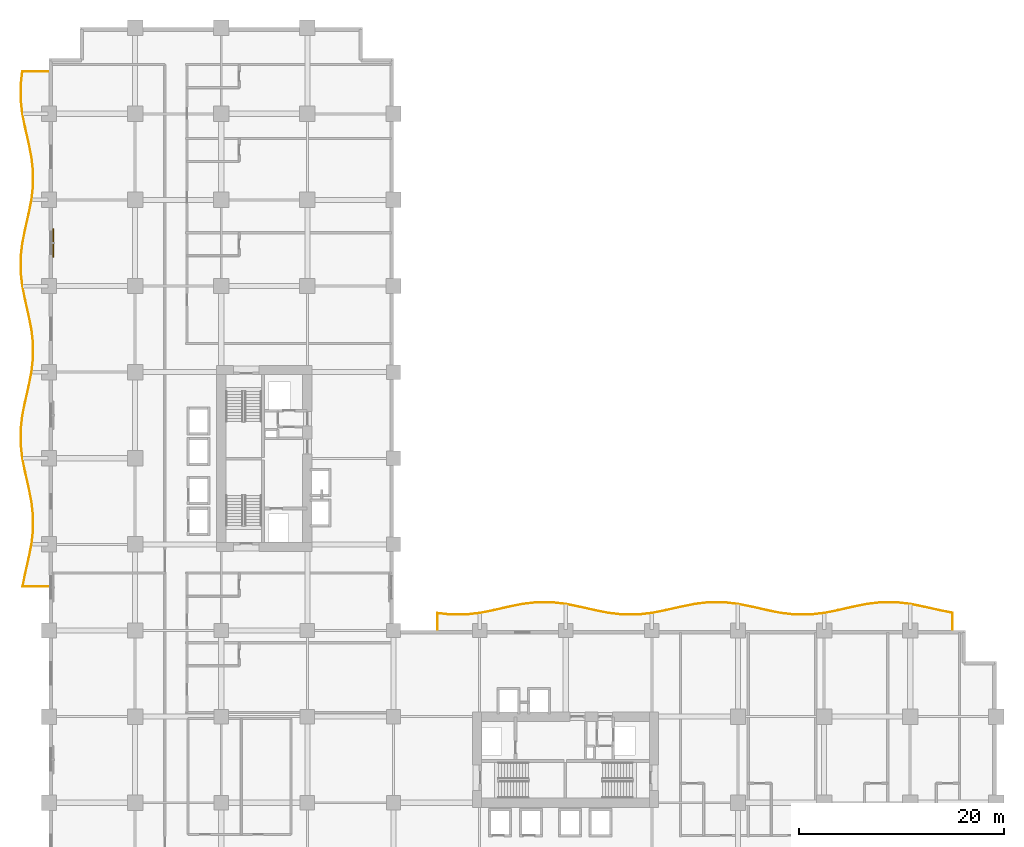
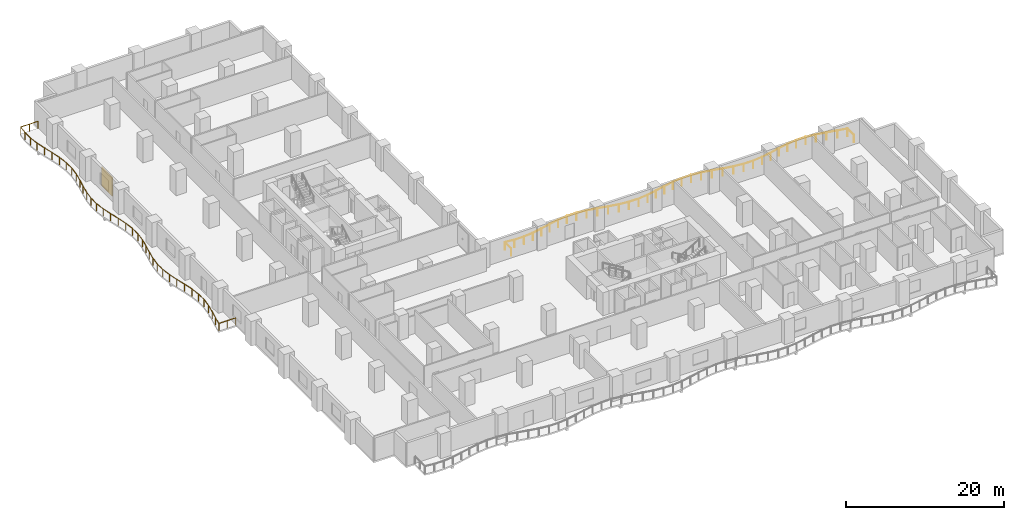
# One storey, part 18 of 18: 2 railings, 1 shading device.
"""IFC4 building model written with IfcOpenShell, lengths in metres."""

from ifc_helpers import new_model, si_unit, direction, frame, origin, origin_2d, place, context, subcontext, project, spatial, rectangle, circle, extrude, material, layer, layer_set, type_object, element, save


model = new_model("IFC4")

# Units and contexts
model_context = context("Model", 3, precision=1e-05, world=origin(), true_north=direction((0.0, 1.0)))
body_context = subcontext(model_context, "Body", "Model", "MODEL_VIEW")
ifc_project = project(units=[si_unit("LENGTHUNIT", "METRE"), si_unit("AREAUNIT", "SQUARE_METRE"), si_unit("VOLUMEUNIT", "CUBIC_METRE"), si_unit("PLANEANGLEUNIT", "RADIAN"), si_unit("MASSUNIT", "GRAM", prefix="KILO")], contexts=[model_context])

# Site, building, storey
site_placement = place(None, origin())
site = spatial("IfcSite", under=ifc_project, at=site_placement, CompositionType="ELEMENT")
building_placement = place(site_placement, origin())
building = spatial("IfcBuilding", under=site, at=building_placement, Name="Koriwani Terraces Tower", CompositionType="ELEMENT")
storey_placement = place(building_placement, frame((0.0, 0.0, 81.39990234375)))
storey = spatial("IfcBuildingStorey", under=building, at=storey_placement, Name="L19", CompositionType="ELEMENT", Elevation=81.39990234375)

# Railings
ifc_material_1 = material(Name="Steel ASTM A572 Grade 50", Category="steel")
railing_type = type_object("IfcRailingType", Name="GUARD_BALUSTRADE_1150", PredefinedType="BALUSTRADE", material=ifc_material_1)
railing_1_placement = place(storey_placement, frame((-0.080078125, 37.8798828125, 0.0)))
element("IfcRailing", 1, at=railing_1_placement, inside=storey, type_object=railing_type, Name="L19 Balcony Perimeter Safety Balustrade (W)", PredefinedType="BALUSTRADE", context=body_context, shape_type="SweptSolid", body=[
    extrude(circle(Radius=0.02392578125, at=origin_2d()), frame((0.0, 0.0, 1.1259765625), z_axis=(-1.0, 0.0, 0.0), x_axis=(0.0, -1.0, 0.0)), (0.0, 0.0, 1.0), 2.4892578125),
    extrude(circle(Radius=0.02392578125, at=origin_2d()), frame((-2.4892578125, 0.0, 1.1259765625), z_axis=(0.196186786742, 0.980566542723, 0.0), x_axis=(-0.980566542723, 0.196186786742, 0.0)), (0.0, 0.0, 1.0), 1.3291015625),
    extrude(circle(Radius=0.02392578125, at=origin_2d()), frame((-2.228515625, 1.30322265625, 1.1259765625), z_axis=(0.225144925641, 0.974325285753, 0.0), x_axis=(-0.974325285753, 0.225144925641, 0.0)), (0.0, 0.0, 1.0), 1.436767578125),
    extrude(circle(Radius=0.02392578125, at=origin_2d()), frame((-1.905029296875, 2.703125, 1.1259765625), z_axis=(0.196181690301, 0.980567562379, 0.0), x_axis=(-0.980567562379, 0.196181690301, 0.0)), (0.0, 0.0, 1.0), 1.432373046875),
    extrude(circle(Radius=0.02392578125, at=origin_2d()), frame((-1.6240234375, 4.107666015625, 1.1259765625), z_axis=(0.114722179915, 0.993397614974, 0.0), x_axis=(-0.993397614974, 0.114722179915, 0.0)), (0.0, 0.0, 1.0), 1.417236328125),
    extrude(circle(Radius=0.02392578125, at=origin_2d()), frame((-1.46142578125, 5.515625, 1.1259765625), z_axis=(0.0, 1.0, 0.0), x_axis=(-1.0, 0.0, 0.0)), (0.0, 0.0, 1.0), 1.4091796875),
    extrude(circle(Radius=0.02392578125, at=origin_2d()), frame((-1.46142578125, 6.9248046875, 1.1259765625), z_axis=(-0.114741814309, 0.993395347306, 0.0), x_axis=(-0.993395347306, -0.114741814309, 0.0)), (0.0, 0.0, 1.0), 1.4169921875),
    extrude(circle(Radius=0.02392578125, at=origin_2d()), frame((-1.6240234375, 8.33251953125, 1.1259765625), z_axis=(-0.196181690301, 0.980567562379, 0.0), x_axis=(-0.980567562379, -0.196181690301, 0.0)), (0.0, 0.0, 1.0), 1.432373046875),
    extrude(circle(Radius=0.02392578125, at=origin_2d()), frame((-1.905029296875, 9.737060546875, 1.1259765625), z_axis=(-0.225144925641, 0.974325285753, 0.0), x_axis=(-0.974325285753, -0.225144925641, 0.0)), (0.0, 0.0, 1.0), 1.436767578125),
    extrude(circle(Radius=0.02392578125, at=origin_2d()), frame((-2.228515625, 11.136962890625, 1.1259765625), z_axis=(-0.196215086073, 0.980560880312, 0.0), x_axis=(-0.980560880312, -0.196215086073, 0.0)), (0.0, 0.0, 1.0), 1.42333984375),
    extrude(circle(Radius=0.02392578125, at=origin_2d()), frame((-2.5078125, 12.53271484375, 1.1259765625), z_axis=(-0.114809259658, 0.993387554732, 0.0), x_axis=(-0.993387554732, -0.114809259658, 0.0)), (0.0, 0.0, 1.0), 1.4013671875),
    extrude(circle(Radius=0.02392578125, at=origin_2d()), frame((-2.668701171875, 13.9248046875, 1.1259765625), z_axis=(0.0, 1.0, 0.0), x_axis=(-1.0, 0.0, 0.0)), (0.0, 0.0, 1.0), 1.390625),
    extrude(circle(Radius=0.02392578125, at=origin_2d()), frame((-2.668701171875, 15.3154296875, 1.1259765625), z_axis=(0.114809259658, 0.993387554732, 0.0), x_axis=(-0.993387554732, 0.114809259658, 0.0)), (0.0, 0.0, 1.0), 1.4013671875),
    extrude(circle(Radius=0.02392578125, at=origin_2d()), frame((-2.5078125, 16.70751953125, 1.1259765625), z_axis=(0.196215086073, 0.980560880312, 0.0), x_axis=(-0.980560880312, 0.196215086073, 0.0)), (0.0, 0.0, 1.0), 1.42333984375),
    extrude(circle(Radius=0.02392578125, at=origin_2d()), frame((-2.228515625, 18.103271484375, 1.1259765625), z_axis=(0.225144925641, 0.974325285753, 0.0), x_axis=(-0.974325285753, 0.225144925641, 0.0)), (0.0, 0.0, 1.0), 1.436767578125),
    extrude(circle(Radius=0.02392578125, at=origin_2d()), frame((-1.905029296875, 19.503173828125, 1.1259765625), z_axis=(0.196181690301, 0.980567562379, 0.0), x_axis=(-0.980567562379, 0.196181690301, 0.0)), (0.0, 0.0, 1.0), 1.432373046875),
    extrude(circle(Radius=0.02392578125, at=origin_2d()), frame((-1.6240234375, 20.90771484375, 1.1259765625), z_axis=(0.114741814309, 0.993395347306, 0.0), x_axis=(-0.993395347306, 0.114741814309, 0.0)), (0.0, 0.0, 1.0), 1.4169921875),
    extrude(circle(Radius=0.02392578125, at=origin_2d()), frame((-1.46142578125, 22.3154296875, 1.1259765625), z_axis=(0.0, 1.0, 0.0), x_axis=(-1.0, 0.0, 0.0)), (0.0, 0.0, 1.0), 1.4091796875),
    extrude(circle(Radius=0.02392578125, at=origin_2d()), frame((-1.46142578125, 23.724609375, 1.1259765625), z_axis=(-0.114722179915, 0.993397614974, 0.0), x_axis=(-0.993397614974, -0.114722179915, 0.0)), (0.0, 0.0, 1.0), 1.417236328125),
    extrude(circle(Radius=0.02392578125, at=origin_2d()), frame((-1.6240234375, 25.132568359375, 1.1259765625), z_axis=(-0.196181690301, 0.980567562379, 0.0), x_axis=(-0.980567562379, -0.196181690301, 0.0)), (0.0, 0.0, 1.0), 1.432373046875),
    extrude(circle(Radius=0.02392578125, at=origin_2d()), frame((-1.905029296875, 26.537109375, 1.1259765625), z_axis=(-0.225144925641, 0.974325285753, 0.0), x_axis=(-0.974325285753, -0.225144925641, 0.0)), (0.0, 0.0, 1.0), 1.436767578125),
    extrude(circle(Radius=0.02392578125, at=origin_2d()), frame((-2.228515625, 27.93701171875, 1.1259765625), z_axis=(-0.196248091466, 0.980554275191, 0.0), x_axis=(-0.980554275191, -0.196248091466, 0.0)), (0.0, 0.0, 1.0), 1.423095703125),
    extrude(circle(Radius=0.02392578125, at=origin_2d()), frame((-2.5078125, 29.33251953125, 1.1259765625), z_axis=(-0.114809259658, 0.993387554732, 0.0), x_axis=(-0.993387554732, -0.114809259658, 0.0)), (0.0, 0.0, 1.0), 1.4013671875),
    extrude(circle(Radius=0.02392578125, at=origin_2d()), frame((-2.668701171875, 30.724609375, 1.1259765625), z_axis=(0.0, 1.0, 0.0), x_axis=(-1.0, 0.0, 0.0)), (0.0, 0.0, 1.0), 1.390869140625),
    extrude(circle(Radius=0.02392578125, at=origin_2d()), frame((-2.668701171875, 32.115478515625, 1.1259765625), z_axis=(0.114809259658, 0.993387554732, 0.0), x_axis=(-0.993387554732, 0.114809259658, 0.0)), (0.0, 0.0, 1.0), 1.4013671875),
    extrude(circle(Radius=0.02392578125, at=origin_2d()), frame((-2.5078125, 33.507568359375, 1.1259765625), z_axis=(0.196215086073, 0.980560880312, 0.0), x_axis=(-0.980560880312, 0.196215086073, 0.0)), (0.0, 0.0, 1.0), 1.42333984375),
    extrude(circle(Radius=0.02392578125, at=origin_2d()), frame((-2.228515625, 34.9033203125, 1.1259765625), z_axis=(0.225144925641, 0.974325285753, 0.0), x_axis=(-0.974325285753, 0.225144925641, 0.0)), (0.0, 0.0, 1.0), 1.436767578125),
    extrude(circle(Radius=0.02392578125, at=origin_2d()), frame((-1.905029296875, 36.30322265625, 1.1259765625), z_axis=(0.196181690301, 0.980567562379, 0.0), x_axis=(-0.980567562379, 0.196181690301, 0.0)), (0.0, 0.0, 1.0), 1.432373046875),
    extrude(circle(Radius=0.02392578125, at=origin_2d()), frame((-1.6240234375, 37.707763671875, 1.1259765625), z_axis=(0.114741814309, 0.993395347306, 0.0), x_axis=(-0.993395347306, 0.114741814309, 0.0)), (0.0, 0.0, 1.0), 1.4169921875),
    extrude(circle(Radius=0.02392578125, at=origin_2d()), frame((-1.46142578125, 39.115478515625, 1.1259765625), z_axis=(0.0, 1.0, 0.0), x_axis=(-1.0, 0.0, 0.0)), (0.0, 0.0, 1.0), 1.4091796875),
    extrude(circle(Radius=0.02392578125, at=origin_2d()), frame((-1.46142578125, 40.524658203125, 1.1259765625), z_axis=(-0.114722179915, 0.993397614974, 0.0), x_axis=(-0.993397614974, -0.114722179915, 0.0)), (0.0, 0.0, 1.0), 1.417236328125),
    extrude(circle(Radius=0.02392578125, at=origin_2d()), frame((-1.6240234375, 41.9326171875, 1.1259765625), z_axis=(-0.19621448399, 0.980561000791, 0.0), x_axis=(-0.980561000791, -0.19621448399, 0.0)), (0.0, 0.0, 1.0), 1.43212890625),
    extrude(circle(Radius=0.02392578125, at=origin_2d()), frame((-1.905029296875, 43.3369140625, 1.1259765625), z_axis=(-0.225107657095, 0.974333896935, 0.0), x_axis=(-0.974333896935, -0.225107657095, 0.0)), (0.0, 0.0, 1.0), 1.43701171875),
    extrude(circle(Radius=0.02392578125, at=origin_2d()), frame((-2.228515625, 44.737060546875, 1.1259765625), z_axis=(-0.196248091466, 0.980554275191, 0.0), x_axis=(-0.980554275191, -0.196248091466, 0.0)), (0.0, 0.0, 1.0), 1.423095703125),
    extrude(circle(Radius=0.02392578125, at=origin_2d()), frame((-2.5078125, 46.132568359375, 1.1259765625), z_axis=(-0.114809259658, 0.993387554732, 0.0), x_axis=(-0.993387554732, -0.114809259658, 0.0)), (0.0, 0.0, 1.0), 1.4013671875),
    extrude(circle(Radius=0.02392578125, at=origin_2d()), frame((-2.668701171875, 47.524658203125, 1.1259765625), z_axis=(0.0, 1.0, 0.0), x_axis=(-1.0, 0.0, 0.0)), (0.0, 0.0, 1.0), 1.390869140625),
    extrude(circle(Radius=0.02392578125, at=origin_2d()), frame((-2.668701171875, 48.91552734375, 1.1259765625), z_axis=(0.114790882492, 0.993389678473, 0.0), x_axis=(-0.993389678473, 0.114790882492, 0.0)), (0.0, 0.0, 1.0), 1.33349609375),
    extrude(circle(Radius=0.02392578125, at=origin_2d()), frame((-2.515625, 50.240234375, 1.1259765625), z_axis=(1.0, 0.0, 0.0), x_axis=(0.0, 1.0, 0.0)), (0.0, 0.0, 1.0), 2.515625),
    extrude(circle(Radius=0.02099609375, at=origin_2d()), origin(), (0.0, 0.0, 1.0), 1.101806640625),
    extrude(circle(Radius=0.02099609375, at=origin_2d()), frame((-1.24462890625, 0.0, 0.0)), (0.0, 0.0, 1.0), 1.101806640625),
    extrude(circle(Radius=0.02099609375, at=origin_2d()), frame((-2.4892578125, 0.0, 0.0)), (0.0, 0.0, 1.0), 1.101806640625),
    extrude(circle(Radius=0.02099609375, at=origin_2d()), frame((-2.228515625, 1.30322265625, 0.0)), (0.0, 0.0, 1.0), 1.101806640625),
    extrude(circle(Radius=0.02099609375, at=origin_2d()), frame((-1.905029296875, 2.703125, 0.0)), (0.0, 0.0, 1.0), 1.101806640625),
    extrude(circle(Radius=0.02099609375, at=origin_2d()), frame((-1.6240234375, 4.107666015625, 0.0)), (0.0, 0.0, 1.0), 1.101806640625),
    extrude(circle(Radius=0.02099609375, at=origin_2d()), frame((-1.46142578125, 5.515625, 0.0)), (0.0, 0.0, 1.0), 1.101806640625),
    extrude(circle(Radius=0.02099609375, at=origin_2d()), frame((-1.46142578125, 6.9248046875, 0.0)), (0.0, 0.0, 1.0), 1.101806640625),
    extrude(circle(Radius=0.02099609375, at=origin_2d()), frame((-1.6240234375, 8.33251953125, 0.0)), (0.0, 0.0, 1.0), 1.101806640625),
    extrude(circle(Radius=0.02099609375, at=origin_2d()), frame((-1.905029296875, 9.737060546875, 0.0)), (0.0, 0.0, 1.0), 1.101806640625),
    extrude(circle(Radius=0.02099609375, at=origin_2d()), frame((-2.228515625, 11.136962890625, 0.0)), (0.0, 0.0, 1.0), 1.101806640625),
    extrude(circle(Radius=0.02099609375, at=origin_2d()), frame((-2.5078125, 12.53271484375, 0.0)), (0.0, 0.0, 1.0), 1.101806640625),
    extrude(circle(Radius=0.02099609375, at=origin_2d()), frame((-2.668701171875, 13.9248046875, 0.0)), (0.0, 0.0, 1.0), 1.101806640625),
    extrude(circle(Radius=0.02099609375, at=origin_2d()), frame((-2.668701171875, 15.3154296875, 0.0)), (0.0, 0.0, 1.0), 1.101806640625),
    extrude(circle(Radius=0.02099609375, at=origin_2d()), frame((-2.5078125, 16.70751953125, 0.0)), (0.0, 0.0, 1.0), 1.101806640625),
    extrude(circle(Radius=0.02099609375, at=origin_2d()), frame((-2.228515625, 18.103271484375, 0.0)), (0.0, 0.0, 1.0), 1.101806640625),
    extrude(circle(Radius=0.02099609375, at=origin_2d()), frame((-1.905029296875, 19.503173828125, 0.0)), (0.0, 0.0, 1.0), 1.101806640625),
    extrude(circle(Radius=0.02099609375, at=origin_2d()), frame((-1.6240234375, 20.90771484375, 0.0)), (0.0, 0.0, 1.0), 1.101806640625),
    extrude(circle(Radius=0.02099609375, at=origin_2d()), frame((-1.46142578125, 22.3154296875, 0.0)), (0.0, 0.0, 1.0), 1.101806640625),
    extrude(circle(Radius=0.02099609375, at=origin_2d()), frame((-1.46142578125, 23.724609375, 0.0)), (0.0, 0.0, 1.0), 1.101806640625),
    extrude(circle(Radius=0.02099609375, at=origin_2d()), frame((-1.6240234375, 25.132568359375, 0.0)), (0.0, 0.0, 1.0), 1.101806640625),
    extrude(circle(Radius=0.02099609375, at=origin_2d()), frame((-1.905029296875, 26.537109375, 0.0)), (0.0, 0.0, 1.0), 1.101806640625),
    extrude(circle(Radius=0.02099609375, at=origin_2d()), frame((-2.228515625, 27.93701171875, 0.0)), (0.0, 0.0, 1.0), 1.101806640625),
    extrude(circle(Radius=0.02099609375, at=origin_2d()), frame((-2.5078125, 29.33251953125, 0.0)), (0.0, 0.0, 1.0), 1.101806640625),
    extrude(circle(Radius=0.02099609375, at=origin_2d()), frame((-2.668701171875, 30.724609375, 0.0)), (0.0, 0.0, 1.0), 1.101806640625),
    extrude(circle(Radius=0.02099609375, at=origin_2d()), frame((-2.668701171875, 32.115478515625, 0.0)), (0.0, 0.0, 1.0), 1.101806640625),
    extrude(circle(Radius=0.02099609375, at=origin_2d()), frame((-2.5078125, 33.507568359375, 0.0)), (0.0, 0.0, 1.0), 1.101806640625),
    extrude(circle(Radius=0.02099609375, at=origin_2d()), frame((-2.228515625, 34.9033203125, 0.0)), (0.0, 0.0, 1.0), 1.101806640625),
    extrude(circle(Radius=0.02099609375, at=origin_2d()), frame((-1.905029296875, 36.30322265625, 0.0)), (0.0, 0.0, 1.0), 1.101806640625),
    extrude(circle(Radius=0.02099609375, at=origin_2d()), frame((-1.6240234375, 37.707763671875, 0.0)), (0.0, 0.0, 1.0), 1.101806640625),
    extrude(circle(Radius=0.02099609375, at=origin_2d()), frame((-1.46142578125, 39.115478515625, 0.0)), (0.0, 0.0, 1.0), 1.101806640625),
    extrude(circle(Radius=0.02099609375, at=origin_2d()), frame((-1.46142578125, 40.524658203125, 0.0)), (0.0, 0.0, 1.0), 1.101806640625),
    extrude(circle(Radius=0.02099609375, at=origin_2d()), frame((-1.6240234375, 41.9326171875, 0.0)), (0.0, 0.0, 1.0), 1.101806640625),
    extrude(circle(Radius=0.02099609375, at=origin_2d()), frame((-1.905029296875, 43.3369140625, 0.0)), (0.0, 0.0, 1.0), 1.101806640625),
    extrude(circle(Radius=0.02099609375, at=origin_2d()), frame((-2.228515625, 44.737060546875, 0.0)), (0.0, 0.0, 1.0), 1.101806640625),
    extrude(circle(Radius=0.02099609375, at=origin_2d()), frame((-2.5078125, 46.132568359375, 0.0)), (0.0, 0.0, 1.0), 1.101806640625),
    extrude(circle(Radius=0.02099609375, at=origin_2d()), frame((-2.668701171875, 47.524658203125, 0.0)), (0.0, 0.0, 1.0), 1.101806640625),
    extrude(circle(Radius=0.02099609375, at=origin_2d()), frame((-2.668701171875, 48.91552734375, 0.0)), (0.0, 0.0, 1.0), 1.101806640625),
    extrude(circle(Radius=0.02099609375, at=origin_2d()), frame((-2.515625, 50.240234375, 0.0)), (0.0, 0.0, 1.0), 1.101806640625),
    extrude(circle(Radius=0.02099609375, at=origin_2d()), frame((-1.2578125, 50.240234375, 0.0)), (0.0, 0.0, 1.0), 1.101806640625),
    extrude(circle(Radius=0.02099609375, at=origin_2d()), frame((0.0, 50.240234375, 0.0)), (0.0, 0.0, 1.0), 1.101806640625),
])
railing_2_placement = place(storey_placement, frame((88.1201171875, 33.679931640625, 0.0)))
element("IfcRailing", 2, at=railing_2_placement, inside=storey, type_object=railing_type, Name="L19 Balcony Perimeter Safety Balustrade (NE)", PredefinedType="BALUSTRADE", context=body_context, shape_type="SweptSolid", body=[
    extrude(circle(Radius=0.02392578125, at=origin_2d()), frame((0.0, 0.0, 1.1259765625), z_axis=(0.0, 1.0, 0.0), x_axis=(-1.0, 0.0, 0.0)), (0.0, 0.0, 1.0), 1.637451171875),
    extrude(circle(Radius=0.02392578125, at=origin_2d()), frame((0.0, 1.637451171875, 1.1259765625), z_axis=(-0.980553117747, 0.196253874553, 0.0), x_axis=(-0.196253874553, -0.980553117747, 0.0)), (0.0, 0.0, 1.0), 1.363525390625),
    extrude(circle(Radius=0.02392578125, at=origin_2d()), frame((-1.3369140625, 1.905029296875, 1.1259765625), z_axis=(-0.974296622472, 0.225268931368, 0.0), x_axis=(-0.225268931368, -0.974296622472, 0.0)), (0.0, 0.0, 1.0), 1.43701171875),
    extrude(circle(Radius=0.02392578125, at=origin_2d()), frame((-2.737060546875, 2.228759765625, 1.1259765625), z_axis=(-0.980587273263, 0.196083144391, 0.0), x_axis=(-0.196083144391, -0.980587273263, 0.0)), (0.0, 0.0, 1.0), 1.423095703125),
    extrude(circle(Radius=0.02392578125, at=origin_2d()), frame((-4.132568359375, 2.5078125, 1.1259765625), z_axis=(-0.993387554732, 0.114809259658, 0.0), x_axis=(-0.114809259658, -0.993387554732, 0.0)), (0.0, 0.0, 1.0), 1.4013671875),
    extrude(circle(Radius=0.02392578125, at=origin_2d()), frame((-5.524658203125, 2.668701171875, 1.1259765625), z_axis=(-1.0, 0.0, 0.0), x_axis=(0.0, -1.0, 0.0)), (0.0, 0.0, 1.0), 1.390869140625),
    extrude(circle(Radius=0.02392578125, at=origin_2d()), frame((-6.91552734375, 2.668701171875, 1.1259765625), z_axis=(-0.993387554732, -0.114809259658, 0.0), x_axis=(0.114809259658, -0.993387554732, 0.0)), (0.0, 0.0, 1.0), 1.4013671875),
    extrude(circle(Radius=0.02392578125, at=origin_2d()), frame((-8.3076171875, 2.5078125, 1.1259765625), z_axis=(-0.980587273263, -0.196083144391, 0.0), x_axis=(0.196083144391, -0.980587273263, 0.0)), (0.0, 0.0, 1.0), 1.423095703125),
    extrude(circle(Radius=0.02392578125, at=origin_2d()), frame((-9.703125, 2.228759765625, 1.1259765625), z_axis=(-0.974296622472, -0.225268931368, 0.0), x_axis=(0.225268931368, -0.974296622472, 0.0)), (0.0, 0.0, 1.0), 1.43701171875),
    extrude(circle(Radius=0.02392578125, at=origin_2d()), frame((-11.103271484375, 1.905029296875, 1.1259765625), z_axis=(-0.980600338098, -0.196017797464, 0.0), x_axis=(0.196017797464, -0.980600338098, 0.0)), (0.0, 0.0, 1.0), 1.432373046875),
    extrude(circle(Radius=0.02392578125, at=origin_2d()), frame((-12.5078125, 1.624267578125, 1.1259765625), z_axis=(-0.993395347306, -0.114741814309, 0.0), x_axis=(0.114741814309, -0.993395347306, 0.0)), (0.0, 0.0, 1.0), 1.4169921875),
    extrude(circle(Radius=0.02392578125, at=origin_2d()), frame((-13.91552734375, 1.461669921875, 1.1259765625), z_axis=(-1.0, 0.0, 0.0), x_axis=(0.0, -1.0, 0.0)), (0.0, 0.0, 1.0), 1.4091796875),
    extrude(circle(Radius=0.02392578125, at=origin_2d()), frame((-15.32470703125, 1.461669921875, 1.1259765625), z_axis=(-0.993395347306, 0.114741814309, 0.0), x_axis=(-0.114741814309, -0.993395347306, 0.0)), (0.0, 0.0, 1.0), 1.4169921875),
    extrude(circle(Radius=0.02392578125, at=origin_2d()), frame((-16.732421875, 1.624267578125, 1.1259765625), z_axis=(-0.980600338098, 0.196017797464, 0.0), x_axis=(-0.196017797464, -0.980600338098, 0.0)), (0.0, 0.0, 1.0), 1.432373046875),
    extrude(circle(Radius=0.02392578125, at=origin_2d()), frame((-18.136962890625, 1.905029296875, 1.1259765625), z_axis=(-0.974296622472, 0.225268931368, 0.0), x_axis=(-0.225268931368, -0.974296622472, 0.0)), (0.0, 0.0, 1.0), 1.43701171875),
    extrude(circle(Radius=0.02392578125, at=origin_2d()), frame((-19.537109375, 2.228759765625, 1.1259765625), z_axis=(-0.980587273263, 0.196083144391, 0.0), x_axis=(-0.196083144391, -0.980587273263, 0.0)), (0.0, 0.0, 1.0), 1.423095703125),
    extrude(circle(Radius=0.02392578125, at=origin_2d()), frame((-20.9326171875, 2.5078125, 1.1259765625), z_axis=(-0.993387554732, 0.114809259658, 0.0), x_axis=(-0.114809259658, -0.993387554732, 0.0)), (0.0, 0.0, 1.0), 1.4013671875),
    extrude(circle(Radius=0.02392578125, at=origin_2d()), frame((-22.32470703125, 2.668701171875, 1.1259765625), z_axis=(-1.0, 0.0, 0.0), x_axis=(0.0, -1.0, 0.0)), (0.0, 0.0, 1.0), 1.390869140625),
    extrude(circle(Radius=0.02392578125, at=origin_2d()), frame((-23.715576171875, 2.668701171875, 1.1259765625), z_axis=(-0.993387554732, -0.114809259658, 0.0), x_axis=(0.114809259658, -0.993387554732, 0.0)), (0.0, 0.0, 1.0), 1.4013671875),
    extrude(circle(Radius=0.02392578125, at=origin_2d()), frame((-25.107666015625, 2.5078125, 1.1259765625), z_axis=(-0.980587273263, -0.196083144391, 0.0), x_axis=(0.196083144391, -0.980587273263, 0.0)), (0.0, 0.0, 1.0), 1.423095703125),
    extrude(circle(Radius=0.02392578125, at=origin_2d()), frame((-26.503173828125, 2.228759765625, 1.1259765625), z_axis=(-0.974296622472, -0.225268931368, 0.0), x_axis=(0.225268931368, -0.974296622472, 0.0)), (0.0, 0.0, 1.0), 1.43701171875),
    extrude(circle(Radius=0.02392578125, at=origin_2d()), frame((-27.9033203125, 1.905029296875, 1.1259765625), z_axis=(-0.980593787249, -0.196050565949, 0.0), x_axis=(0.196050565949, -0.980593787249, 0.0)), (0.0, 0.0, 1.0), 1.43212890625),
    extrude(circle(Radius=0.02392578125, at=origin_2d()), frame((-29.3076171875, 1.624267578125, 1.1259765625), z_axis=(-0.993397614974, -0.114722179915, 0.0), x_axis=(0.114722179915, -0.993397614974, 0.0)), (0.0, 0.0, 1.0), 1.417236328125),
    extrude(circle(Radius=0.02392578125, at=origin_2d()), frame((-30.715576171875, 1.461669921875, 1.1259765625), z_axis=(-1.0, 0.0, 0.0), x_axis=(0.0, -1.0, 0.0)), (0.0, 0.0, 1.0), 1.4091796875),
    extrude(circle(Radius=0.02392578125, at=origin_2d()), frame((-32.124755859375, 1.461669921875, 1.1259765625), z_axis=(-0.993395347306, 0.114741814309, 0.0), x_axis=(-0.114741814309, -0.993395347306, 0.0)), (0.0, 0.0, 1.0), 1.4169921875),
    extrude(circle(Radius=0.02392578125, at=origin_2d()), frame((-33.532470703125, 1.624267578125, 1.1259765625), z_axis=(-0.980600338098, 0.196017797464, 0.0), x_axis=(-0.196017797464, -0.980600338098, 0.0)), (0.0, 0.0, 1.0), 1.432373046875),
    extrude(circle(Radius=0.02392578125, at=origin_2d()), frame((-34.93701171875, 1.905029296875, 1.1259765625), z_axis=(-0.974287999277, 0.22530622376, 0.0), x_axis=(-0.22530622376, -0.974287999277, 0.0)), (0.0, 0.0, 1.0), 1.436767578125),
    extrude(circle(Radius=0.02392578125, at=origin_2d()), frame((-36.3369140625, 2.228759765625, 1.1259765625), z_axis=(-0.980593867507, 0.19605016452, 0.0), x_axis=(-0.19605016452, -0.980593867507, 0.0)), (0.0, 0.0, 1.0), 1.42333984375),
    extrude(circle(Radius=0.02392578125, at=origin_2d()), frame((-37.732666015625, 2.5078125, 1.1259765625), z_axis=(-0.993387554732, 0.114809259658, 0.0), x_axis=(-0.114809259658, -0.993387554732, 0.0)), (0.0, 0.0, 1.0), 1.4013671875),
    extrude(circle(Radius=0.02392578125, at=origin_2d()), frame((-39.124755859375, 2.668701171875, 1.1259765625), z_axis=(-1.0, 0.0, 0.0), x_axis=(0.0, -1.0, 0.0)), (0.0, 0.0, 1.0), 1.390869140625),
    extrude(circle(Radius=0.02392578125, at=origin_2d()), frame((-40.515625, 2.668701171875, 1.1259765625), z_axis=(-0.993387554732, -0.114809259658, 0.0), x_axis=(0.114809259658, -0.993387554732, 0.0)), (0.0, 0.0, 1.0), 1.4013671875),
    extrude(circle(Radius=0.02392578125, at=origin_2d()), frame((-41.90771484375, 2.5078125, 1.1259765625), z_axis=(-0.980587273263, -0.196083144391, 0.0), x_axis=(0.196083144391, -0.980587273263, 0.0)), (0.0, 0.0, 1.0), 1.423095703125),
    extrude(circle(Radius=0.02392578125, at=origin_2d()), frame((-43.30322265625, 2.228759765625, 1.1259765625), z_axis=(-0.974287999277, -0.22530622376, 0.0), x_axis=(0.22530622376, -0.974287999277, 0.0)), (0.0, 0.0, 1.0), 1.436767578125),
    extrude(circle(Radius=0.02392578125, at=origin_2d()), frame((-44.703125, 1.905029296875, 1.1259765625), z_axis=(-0.980600338098, -0.196017797464, 0.0), x_axis=(0.196017797464, -0.980600338098, 0.0)), (0.0, 0.0, 1.0), 1.432373046875),
    extrude(circle(Radius=0.02392578125, at=origin_2d()), frame((-46.107666015625, 1.624267578125, 1.1259765625), z_axis=(-0.993397614974, -0.114722179915, 0.0), x_axis=(0.114722179915, -0.993397614974, 0.0)), (0.0, 0.0, 1.0), 1.417236328125),
    extrude(circle(Radius=0.02392578125, at=origin_2d()), frame((-47.515625, 1.461669921875, 1.1259765625), z_axis=(-1.0, 0.0, 0.0), x_axis=(0.0, -1.0, 0.0)), (0.0, 0.0, 1.0), 1.4091796875),
    extrude(circle(Radius=0.02392578125, at=origin_2d()), frame((-48.9248046875, 1.461669921875, 1.1259765625), z_axis=(-0.993423462716, 0.11449813852, 0.0), x_axis=(-0.11449813852, -0.993423462716, 0.0)), (0.0, 0.0, 1.0), 1.32421875),
    extrude(circle(Radius=0.02392578125, at=origin_2d()), frame((-50.240234375, 1.61328125, 1.1259765625), z_axis=(0.0, -1.0, 0.0), x_axis=(1.0, 0.0, 0.0)), (0.0, 0.0, 1.0), 1.61328125),
    extrude(circle(Radius=0.02099609375, at=origin_2d()), origin(), (0.0, 0.0, 1.0), 1.101806640625),
    extrude(circle(Radius=0.02099609375, at=origin_2d()), frame((0.0, 1.637451171875, 0.0)), (0.0, 0.0, 1.0), 1.101806640625),
    extrude(circle(Radius=0.02099609375, at=origin_2d()), frame((-1.3369140625, 1.905029296875, 0.0)), (0.0, 0.0, 1.0), 1.101806640625),
    extrude(circle(Radius=0.02099609375, at=origin_2d()), frame((-2.737060546875, 2.228759765625, 0.0)), (0.0, 0.0, 1.0), 1.101806640625),
    extrude(circle(Radius=0.02099609375, at=origin_2d()), frame((-4.132568359375, 2.5078125, 0.0)), (0.0, 0.0, 1.0), 1.101806640625),
    extrude(circle(Radius=0.02099609375, at=origin_2d()), frame((-5.524658203125, 2.668701171875, 0.0)), (0.0, 0.0, 1.0), 1.101806640625),
    extrude(circle(Radius=0.02099609375, at=origin_2d()), frame((-6.91552734375, 2.668701171875, 0.0)), (0.0, 0.0, 1.0), 1.101806640625),
    extrude(circle(Radius=0.02099609375, at=origin_2d()), frame((-8.3076171875, 2.5078125, 0.0)), (0.0, 0.0, 1.0), 1.101806640625),
    extrude(circle(Radius=0.02099609375, at=origin_2d()), frame((-9.703125, 2.228759765625, 0.0)), (0.0, 0.0, 1.0), 1.101806640625),
    extrude(circle(Radius=0.02099609375, at=origin_2d()), frame((-11.103271484375, 1.905029296875, 0.0)), (0.0, 0.0, 1.0), 1.101806640625),
    extrude(circle(Radius=0.02099609375, at=origin_2d()), frame((-12.5078125, 1.624267578125, 0.0)), (0.0, 0.0, 1.0), 1.101806640625),
    extrude(circle(Radius=0.02099609375, at=origin_2d()), frame((-13.91552734375, 1.461669921875, 0.0)), (0.0, 0.0, 1.0), 1.101806640625),
    extrude(circle(Radius=0.02099609375, at=origin_2d()), frame((-15.32470703125, 1.461669921875, 0.0)), (0.0, 0.0, 1.0), 1.101806640625),
    extrude(circle(Radius=0.02099609375, at=origin_2d()), frame((-16.732421875, 1.624267578125, 0.0)), (0.0, 0.0, 1.0), 1.101806640625),
    extrude(circle(Radius=0.02099609375, at=origin_2d()), frame((-18.136962890625, 1.905029296875, 0.0)), (0.0, 0.0, 1.0), 1.101806640625),
    extrude(circle(Radius=0.02099609375, at=origin_2d()), frame((-19.537109375, 2.228759765625, 0.0)), (0.0, 0.0, 1.0), 1.101806640625),
    extrude(circle(Radius=0.02099609375, at=origin_2d()), frame((-20.9326171875, 2.5078125, 0.0)), (0.0, 0.0, 1.0), 1.101806640625),
    extrude(circle(Radius=0.02099609375, at=origin_2d()), frame((-22.32470703125, 2.668701171875, 0.0)), (0.0, 0.0, 1.0), 1.101806640625),
    extrude(circle(Radius=0.02099609375, at=origin_2d()), frame((-23.715576171875, 2.668701171875, 0.0)), (0.0, 0.0, 1.0), 1.101806640625),
    extrude(circle(Radius=0.02099609375, at=origin_2d()), frame((-25.107666015625, 2.5078125, 0.0)), (0.0, 0.0, 1.0), 1.101806640625),
    extrude(circle(Radius=0.02099609375, at=origin_2d()), frame((-26.503173828125, 2.228759765625, 0.0)), (0.0, 0.0, 1.0), 1.101806640625),
    extrude(circle(Radius=0.02099609375, at=origin_2d()), frame((-27.9033203125, 1.905029296875, 0.0)), (0.0, 0.0, 1.0), 1.101806640625),
    extrude(circle(Radius=0.02099609375, at=origin_2d()), frame((-29.3076171875, 1.624267578125, 0.0)), (0.0, 0.0, 1.0), 1.101806640625),
    extrude(circle(Radius=0.02099609375, at=origin_2d()), frame((-30.715576171875, 1.461669921875, 0.0)), (0.0, 0.0, 1.0), 1.101806640625),
    extrude(circle(Radius=0.02099609375, at=origin_2d()), frame((-32.124755859375, 1.461669921875, 0.0)), (0.0, 0.0, 1.0), 1.101806640625),
    extrude(circle(Radius=0.02099609375, at=origin_2d()), frame((-33.532470703125, 1.624267578125, 0.0)), (0.0, 0.0, 1.0), 1.101806640625),
    extrude(circle(Radius=0.02099609375, at=origin_2d()), frame((-34.93701171875, 1.905029296875, 0.0)), (0.0, 0.0, 1.0), 1.101806640625),
    extrude(circle(Radius=0.02099609375, at=origin_2d()), frame((-36.3369140625, 2.228759765625, 0.0)), (0.0, 0.0, 1.0), 1.101806640625),
    extrude(circle(Radius=0.02099609375, at=origin_2d()), frame((-37.732666015625, 2.5078125, 0.0)), (0.0, 0.0, 1.0), 1.101806640625),
    extrude(circle(Radius=0.02099609375, at=origin_2d()), frame((-39.124755859375, 2.668701171875, 0.0)), (0.0, 0.0, 1.0), 1.101806640625),
    extrude(circle(Radius=0.02099609375, at=origin_2d()), frame((-40.515625, 2.668701171875, 0.0)), (0.0, 0.0, 1.0), 1.101806640625),
    extrude(circle(Radius=0.02099609375, at=origin_2d()), frame((-41.90771484375, 2.5078125, 0.0)), (0.0, 0.0, 1.0), 1.101806640625),
    extrude(circle(Radius=0.02099609375, at=origin_2d()), frame((-43.30322265625, 2.228759765625, 0.0)), (0.0, 0.0, 1.0), 1.101806640625),
    extrude(circle(Radius=0.02099609375, at=origin_2d()), frame((-44.703125, 1.905029296875, 0.0)), (0.0, 0.0, 1.0), 1.101806640625),
    extrude(circle(Radius=0.02099609375, at=origin_2d()), frame((-46.107666015625, 1.624267578125, 0.0)), (0.0, 0.0, 1.0), 1.101806640625),
    extrude(circle(Radius=0.02099609375, at=origin_2d()), frame((-47.515625, 1.461669921875, 0.0)), (0.0, 0.0, 1.0), 1.101806640625),
    extrude(circle(Radius=0.02099609375, at=origin_2d()), frame((-48.9248046875, 1.461669921875, 0.0)), (0.0, 0.0, 1.0), 1.101806640625),
    extrude(circle(Radius=0.02099609375, at=origin_2d()), frame((-50.240234375, 1.61328125, 0.0)), (0.0, 0.0, 1.0), 1.101806640625),
    extrude(circle(Radius=0.02099609375, at=origin_2d()), frame((-50.240234375, 0.0, 0.0)), (0.0, 0.0, 1.0), 1.101806640625),
])

# Shading device
ifc_material_2 = material(Name="Extruded Terracotta Clay", Category="masonry")
ifc_layer = layer(ifc_material_2, 0.1201171875, Name="Extruded Terracotta Clay")
ifc_layer_set = layer_set([ifc_layer], Name="Extruded Terracotta Clay")
shading_device_type = type_object("IfcShadingDeviceType", Name="TERRACOTTA_BAGUETTE_SCREEN_2800", PredefinedType="USERDEFINED", material=ifc_layer_set)
shading_device_placement = place(storey_placement, frame((0.405029296875, 71.39990234375, 0.3251953125), z_axis=(0.0, 0.0, 1.0), x_axis=(0.0, 1.0, 0.0)))
element("IfcShadingDevice", 3, at=shading_device_placement, inside=storey, type_object=shading_device_type, Name="L19 Extruded Terracotta Baguette Screen (W-24)", ObjectType="BAGUETTE", PredefinedType="USERDEFINED", context=body_context, shape_type="SweptSolid", body=[
    extrude(rectangle(XDim=2.760009765625, YDim=0.1201171875, at=origin_2d()), origin(), (0.0, 0.0, 1.0), 2.89990234375),
])

save(model, "model.ifc")
